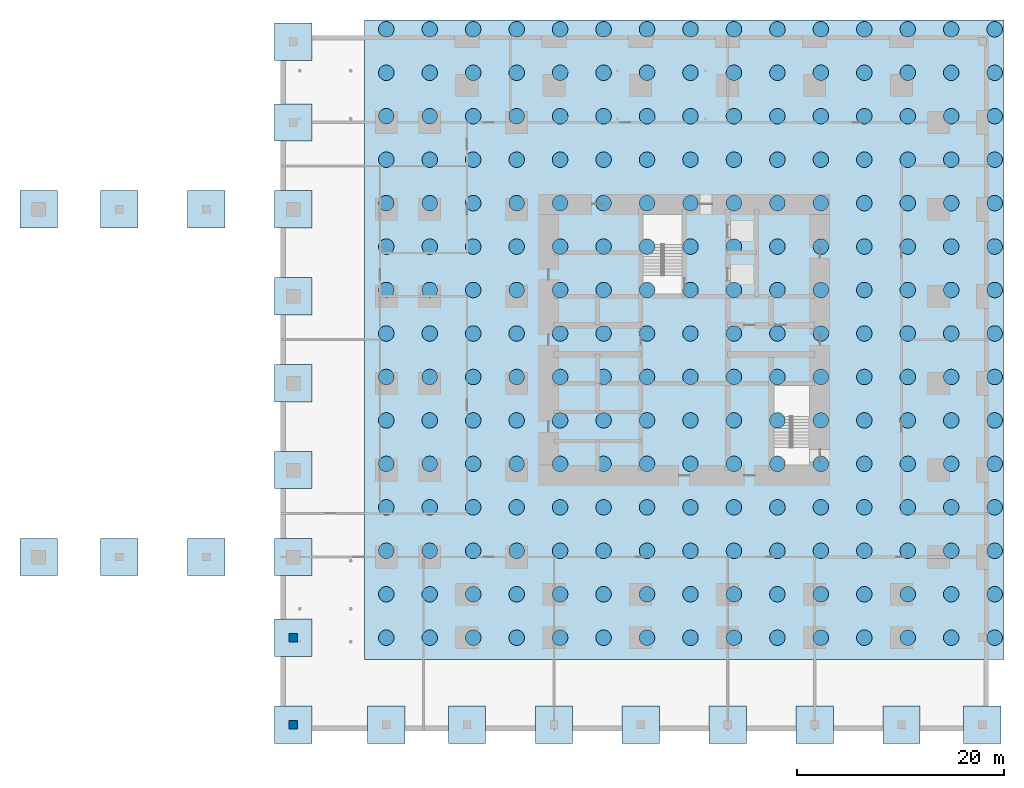
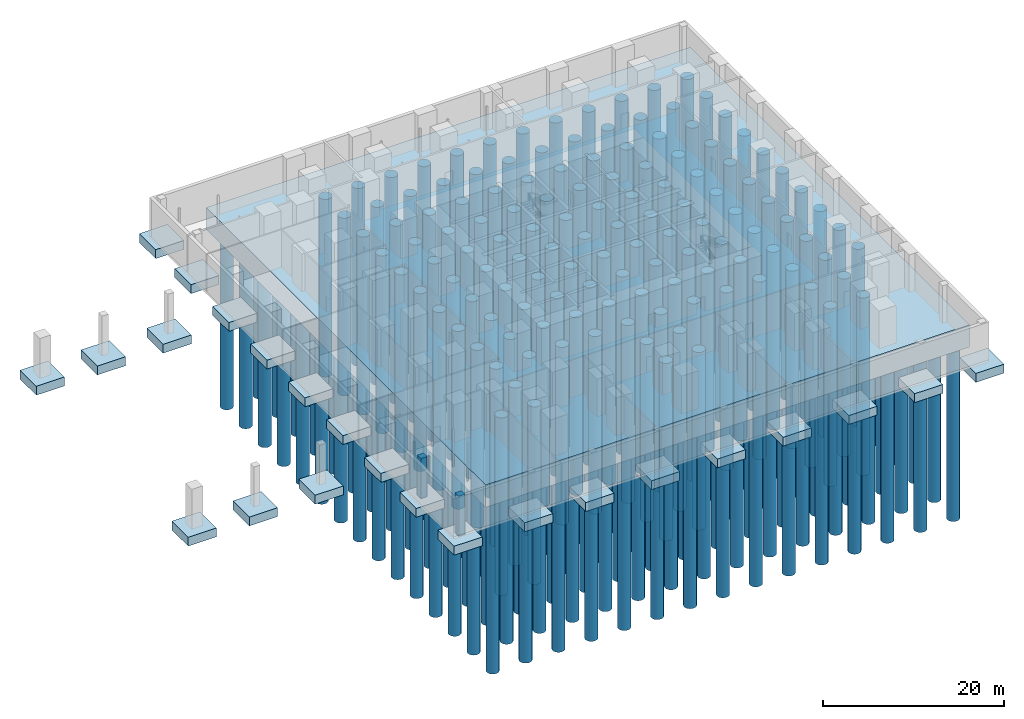
# One storey, part 1 of 18: 225 piles, 24 footings, 2 columns.
"""IFC4 building model written with IfcOpenShell, lengths in metres."""

import ifcopenshell
import ifcopenshell.guid

model = None  # the IFC model being written
_history = None  # IfcOwnerHistory: only IFC2X3 demands one
_inside = {}  # id of a spatial element -> (the spatial element, [elements in it])
_under = {}  # id of a project, library or spatial element -> (it, [spatial elements below it])
_declared = {}  # id of a project -> (the project, [libraries it declares])
_typed = {}  # id of a type object -> (the type object, [elements of that type])
_made_of = {}  # id of a material, layer set ... -> (it, [elements and type objects made of it])


def new_model(schema):
    """Start an empty IFC model of exactly this schema.

    Asked for "IFC4X3", IfcOpenShell would pick the latest addendum, in which some entities
    have other attributes; the version numbers below select the first issue.
    IFC2X3 requires an IfcOwnerHistory on every rooted entity: one is made here for all.
    """
    global model, _history
    if schema == "IFC4X3":
        model = ifcopenshell.file(schema_version=(4, 3, 0, 0))
    else:
        model = ifcopenshell.file(schema=schema)
    _inside.clear()
    _under.clear()
    _declared.clear()
    _typed.clear()
    _made_of.clear()
    _history = None
    if model.schema == "IFC2X3":
        org = make("IfcOrganization", Name="unknown")
        user = make(
            "IfcPersonAndOrganization",
            ThePerson=make("IfcPerson", FamilyName="unknown"),
            TheOrganization=org,
        )
        app = make(
            "IfcApplication",
            ApplicationDeveloper=org,
            Version="unknown",
            ApplicationFullName="unknown",
            ApplicationIdentifier="unknown",
        )
        _history = make(
            "IfcOwnerHistory",
            OwningUser=user,
            OwningApplication=app,
            ChangeAction="ADDED",
            CreationDate=0,
        )
    return model


def make(cls, **values):
    """One entity of the class cls with the attributes given. An attribute that is None is left unset."""
    return model.create_entity(
        cls, **{name: value for name, value in values.items() if value is not None}
    )


def rooted(cls, **values):
    """An entity with a GlobalId (a new one), such as an element, a storey or a relation."""
    return make(cls, GlobalId=ifcopenshell.guid.new(), OwnerHistory=_history, **values)


def si_unit(unit_type, name, prefix=None):
    """IfcSIUnit, for example si_unit("LENGTHUNIT", "METRE", prefix="MILLI")."""
    return make("IfcSIUnit", UnitType=unit_type, Prefix=prefix, Name=name)


def assignment(units):
    """IfcUnitAssignment: the units of a project."""
    return None if units is None else make("IfcUnitAssignment", Units=units)


def point(xyz):
    """IfcCartesianPoint."""
    return None if xyz is None else make("IfcCartesianPoint", Coordinates=xyz)


def direction(xyz):
    """IfcDirection."""
    return None if xyz is None else make("IfcDirection", DirectionRatios=xyz)


def frame(location, z_axis=None, x_axis=None):
    """IfcAxis2Placement3D, a coordinate frame: its origin and axes. An axis left out is left unset."""
    return make(
        "IfcAxis2Placement3D",
        Location=point(location),
        Axis=direction(z_axis),
        RefDirection=direction(x_axis),
    )


def frame_2d(location, x_axis=None):
    """IfcAxis2Placement2D, a coordinate frame in the plane: its origin and x axis."""
    return make(
        "IfcAxis2Placement2D", Location=point(location), RefDirection=direction(x_axis)
    )


def origin():
    """The frame at (0, 0, 0) with its axes left unset."""
    return frame((0.0, 0.0, 0.0))


def origin_2d():
    """The frame at (0, 0) in the plane with its x axis left unset."""
    return frame_2d((0.0, 0.0))


def place(relative_to, where):
    """IfcLocalPlacement: puts the frame where relative to a parent placement (None: the world)."""
    return make(
        "IfcLocalPlacement", PlacementRelTo=relative_to, RelativePlacement=where
    )


def context(
    kind, dimensions, precision=None, world=None, true_north=None, identifier=None
):
    """IfcGeometricRepresentationContext, for example the 3D "Model" context."""
    return make(
        "IfcGeometricRepresentationContext",
        ContextIdentifier=identifier,
        ContextType=kind,
        CoordinateSpaceDimension=dimensions,
        Precision=precision,
        WorldCoordinateSystem=world,
        TrueNorth=true_north,
    )


def subcontext(parent, identifier, kind, view, scale=None):
    """IfcGeometricRepresentationSubContext, for example "Body" below "Model"."""
    return make(
        "IfcGeometricRepresentationSubContext",
        ContextIdentifier=identifier,
        ContextType=kind,
        ParentContext=parent,
        TargetScale=scale,
        TargetView=view,
    )


def project(units=None, contexts=None):
    """IfcProject with its units and contexts."""
    return rooted(
        "IfcProject",
        Name="project",
        RepresentationContexts=contexts,
        UnitsInContext=assignment(units),
    )


def spatial(cls, under=None, at=None, **own):
    """A site, building, storey or space (cls), placed at a placement, below another one or the project."""
    s = rooted(cls, ObjectPlacement=at, **own)
    if under is not None:
        _under.setdefault(under.id(), (under, []))[1].append(s)
    return s


def polyline(points):
    """IfcPolyline through the points."""
    return make("IfcPolyline", Points=[point(p) for p in points])


def profile(cls, at=None, kind="AREA", **sizes):
    """A parametric profile (cls). Its sizes go by their IFC names, for example OverallWidth=200.0."""
    return make(cls, ProfileType=kind, Position=at, **sizes)


def rectangle(**sizes):
    """IfcRectangleProfileDef."""
    return profile("IfcRectangleProfileDef", **sizes)


def circle(**sizes):
    """IfcCircleProfileDef."""
    return profile("IfcCircleProfileDef", **sizes)


def outline(outer, holes=None, kind="AREA"):
    """IfcArbitraryClosedProfileDef: a profile drawn as a closed curve; with holes, ...WithVoids."""
    if holes is None:
        return make("IfcArbitraryClosedProfileDef", ProfileType=kind, OuterCurve=outer)
    return make(
        "IfcArbitraryProfileDefWithVoids",
        ProfileType=kind,
        OuterCurve=outer,
        InnerCurves=holes,
    )


def extrude(swept, where, along, depth):
    """IfcExtrudedAreaSolid: the profile swept, set in the frame where, extruded along a direction by depth."""
    return make(
        "IfcExtrudedAreaSolid",
        SweptArea=swept,
        Position=where,
        ExtrudedDirection=direction(along),
        Depth=depth,
    )


def shape(context_of_items, identifier, shape_type, items):
    """IfcShapeRepresentation: the items that make up one representation, for example the "Body"."""
    return make(
        "IfcShapeRepresentation",
        ContextOfItems=context_of_items,
        RepresentationIdentifier=identifier,
        RepresentationType=shape_type,
        Items=items,
    )


def material(Name=None, Category=None):
    """IfcMaterial."""
    return make("IfcMaterial", Name=Name, Category=Category)


def layer(
    of_material, thickness, ventilated=None, Name=None, Category=None, Priority=None
):
    """IfcMaterialLayer: one layer of a wall or slab, of a material (None: an air gap)."""
    return make(
        "IfcMaterialLayer",
        Material=of_material,
        LayerThickness=thickness,
        IsVentilated=ventilated,
        Name=Name,
        Category=Category,
        Priority=Priority,
    )


def layer_set(layers, Name=None):
    """IfcMaterialLayerSet."""
    return make("IfcMaterialLayerSet", MaterialLayers=layers, LayerSetName=Name)


def material_profile(
    of_material, cross_section, Name=None, Category=None, Priority=None
):
    """IfcMaterialProfile: a cross section and its material."""
    return make(
        "IfcMaterialProfile",
        Name=Name,
        Material=of_material,
        Profile=cross_section,
        Priority=Priority,
        Category=Category,
    )


def profile_set(profiles, Name=None, composite=None):
    """IfcMaterialProfileSet."""
    return make(
        "IfcMaterialProfileSet",
        Name=Name,
        MaterialProfiles=profiles,
        CompositeProfile=composite,
    )


def made_of(thing, what):
    """Note that an element or type object is made of a material, layer set ...; save() writes the relation."""
    if what is not None:
        _made_of.setdefault(what.id(), (what, []))[1].append(thing)
    return thing


def type_object(cls, material=None, **own):
    """A type object (cls), such as IfcWallType, which elements share."""
    return made_of(rooted(cls, **own), material)


def element(
    cls,
    number,
    at=None,
    inside=None,
    cuts=None,
    type_object=None,
    material=None,
    context=None,
    identifier="Body",
    shape_type=None,
    held_by="IfcProductDefinitionShape",
    body=None,
    shapes=None,
    **own,
):
    """One element of the class cls, such as IfcWall. Its Tag is "e" and its number.

    at: its placement. inside: the storey or other place that contains it. cuts: it is an
    opening in that element (IfcRelVoidsElement). A single representation is given by context,
    identifier, shape_type and body (its items); several are given by shapes. held_by: the class
    of the entity that holds the representations. save() writes the other relations.
    """
    e = rooted(cls, Tag="e%d" % number, ObjectPlacement=at, **own)
    if body is not None:
        shapes = [shape(context, identifier, shape_type, body)]
    if shapes is not None:
        e.Representation = make(held_by, Representations=shapes)
    if inside is not None:
        _inside.setdefault(inside.id(), (inside, []))[1].append(e)
    if cuts is not None:
        rooted(
            "IfcRelVoidsElement", RelatingBuildingElement=cuts, RelatedOpeningElement=e
        )
    if type_object is not None:
        _typed.setdefault(type_object.id(), (type_object, []))[1].append(e)
    return made_of(e, material)


def aggregate(whole, parts):
    """IfcRelAggregates: a whole, such as a stair, and the parts it consists of."""
    return rooted("IfcRelAggregates", RelatingObject=whole, RelatedObjects=parts)


def save(model, path):
    """Write the relations noted so far, then the file.

    IfcRelAggregates (storeys below a building ...), IfcRelContainedInSpatialStructure (elements
    in a storey), IfcRelDefinesByType, IfcRelAssociatesMaterial and IfcRelDeclares: one each for
    every whole, place, type object, material and project.
    """
    for whole, parts in _under.values():
        aggregate(whole, parts)
    for where, things in _inside.values():
        rooted(
            "IfcRelContainedInSpatialStructure",
            RelatedElements=things,
            RelatingStructure=where,
        )
    for kind, things in _typed.values():
        rooted("IfcRelDefinesByType", RelatedObjects=things, RelatingType=kind)
    for what, things in _made_of.values():
        rooted("IfcRelAssociatesMaterial", RelatedObjects=things, RelatingMaterial=what)
    for by, libraries in _declared.values():
        rooted("IfcRelDeclares", RelatingContext=by, RelatedDefinitions=libraries)
    model.write(path)


model = new_model("IFC4")

# Units and contexts
model_context = context("Model", 3, precision=1e-05, world=origin(), true_north=direction((0.0, 1.0)))
body_context = subcontext(model_context, "Body", "Model", "MODEL_VIEW")
ifc_project = project(units=[si_unit("LENGTHUNIT", "METRE"), si_unit("AREAUNIT", "SQUARE_METRE"), si_unit("VOLUMEUNIT", "CUBIC_METRE"), si_unit("PLANEANGLEUNIT", "RADIAN"), si_unit("MASSUNIT", "GRAM", prefix="KILO")], contexts=[model_context])

# Site, building, storey
site_placement = place(None, origin())
site = spatial("IfcSite", under=ifc_project, at=site_placement, CompositionType="ELEMENT")
building_placement = place(site_placement, origin())
building = spatial("IfcBuilding", under=site, at=building_placement, Name="Dunama Terrace Hotel", CompositionType="ELEMENT")
storey_placement = place(building_placement, frame((0.0, 0.0, -5.39990234375)))
storey = spatial("IfcBuildingStorey", under=building, at=storey_placement, Name="B1", CompositionType="ELEMENT", Elevation=-5.39990234375)

# Piles
ifc_material_1 = material(Name="Concrete C40/50", Category="concrete")
ifc_material_profile_1 = material_profile(ifc_material_1, circle(Radius=0.75, at=origin_2d()), Name="PILE D1500")
ifc_profile_set_1 = profile_set([ifc_material_profile_1], Name="Concrete C40/50")
pile_type = type_object("IfcPileType", Name="Bored pile 1500", PredefinedType="BORED", material=ifc_profile_set_1)
for number, where, z_axis, x_axis, name in (
    (1, (0.60009765625, 0.60009765625, -3.0), (0.0, 0.0, -1.0), (1.0, 0.0, 0.0), "Pile 1"),
    (2, (0.60009765625, 4.800048828125, -3.0), (0.0, 0.0, -1.0), (1.0, 0.0, 0.0), "Pile 2"),
    (3, (0.60009765625, 9.0, -3.0), (0.0, 0.0, -1.0), (1.0, 0.0, 0.0), "Pile 3"),
    (4, (0.60009765625, 13.199951171875, -3.0), (0.0, 0.0, -1.0), (1.0, 0.0, 0.0), "Pile 4"),
    (5, (0.60009765625, 17.39990234375, -3.0), (0.0, 0.0, -1.0), (1.0, 0.0, 0.0), "Pile 5"),
    (6, (0.60009765625, 21.60009765625, -3.0), (0.0, 0.0, -1.0), (1.0, 0.0, 0.0), "Pile 6"),
    (7, (0.60009765625, 25.800048828125, -3.0), (0.0, 0.0, -1.0), (1.0, 0.0, 0.0), "Pile 7"),
    (8, (0.60009765625, 30.0, -3.0), (0.0, 0.0, -1.0), (1.0, 0.0, 0.0), "Pile 8"),
    (9, (0.60009765625, 34.199951171875, -3.0), (0.0, 0.0, -1.0), (1.0, 0.0, 0.0), "Pile 9"),
    (10, (0.60009765625, 38.39990234375, -3.0), (0.0, 0.0, -1.0), (1.0, 0.0, 0.0), "Pile 10"),
    (11, (0.60009765625, 42.60009765625, -3.0), (0.0, 0.0, -1.0), (1.0, 0.0, 0.0), "Pile 11"),
    (12, (0.60009765625, 46.800048828125, -3.0), (0.0, 0.0, -1.0), (1.0, 0.0, 0.0), "Pile 12"),
    (13, (0.60009765625, 51.0, -3.0), (0.0, 0.0, -1.0), (1.0, 0.0, 0.0), "Pile 13"),
    (14, (0.60009765625, 55.199951171875, -3.0), (0.0, 0.0, -1.0), (1.0, 0.0, 0.0), "Pile 14"),
    (15, (0.60009765625, 59.39990234375, -3.0), (0.0, 0.0, -1.0), (1.0, 0.0, 0.0), "Pile 15"),
    (16, (4.800048828125, 0.60009765625, -3.0), (0.0, 0.0, -1.0), (1.0, 0.0, 0.0), "Pile 16"),
    (17, (4.800048828125, 4.800048828125, -3.0), (0.0, 0.0, -1.0), (1.0, 0.0, 0.0), "Pile 17"),
    (18, (4.800048828125, 9.0, -3.0), (0.0, 0.0, -1.0), (1.0, 0.0, 0.0), "Pile 18"),
    (19, (4.800048828125, 13.199951171875, -3.0), (0.0, 0.0, -1.0), (1.0, 0.0, 0.0), "Pile 19"),
    (20, (4.800048828125, 17.39990234375, -3.0), (0.0, 0.0, -1.0), (1.0, 0.0, 0.0), "Pile 20"),
    (21, (4.800048828125, 21.60009765625, -3.0), (0.0, 0.0, -1.0), (1.0, 0.0, 0.0), "Pile 21"),
    (22, (4.800048828125, 25.800048828125, -3.0), (0.0, 0.0, -1.0), (1.0, 0.0, 0.0), "Pile 22"),
    (23, (4.800048828125, 30.0, -3.0), (0.0, 0.0, -1.0), (1.0, 0.0, 0.0), "Pile 23"),
    (24, (4.800048828125, 34.199951171875, -3.0), (0.0, 0.0, -1.0), (1.0, 0.0, 0.0), "Pile 24"),
    (25, (4.800048828125, 38.39990234375, -3.0), (0.0, 0.0, -1.0), (1.0, 0.0, 0.0), "Pile 25"),
    (26, (4.800048828125, 42.60009765625, -3.0), (0.0, 0.0, -1.0), (1.0, 0.0, 0.0), "Pile 26"),
    (27, (4.800048828125, 46.800048828125, -3.0), (0.0, 0.0, -1.0), (1.0, 0.0, 0.0), "Pile 27"),
    (28, (4.800048828125, 51.0, -3.0), (0.0, 0.0, -1.0), (1.0, 0.0, 0.0), "Pile 28"),
    (29, (4.800048828125, 55.199951171875, -3.0), (0.0, 0.0, -1.0), (1.0, 0.0, 0.0), "Pile 29"),
    (30, (4.800048828125, 59.39990234375, -3.0), (0.0, 0.0, -1.0), (1.0, 0.0, 0.0), "Pile 30"),
    (31, (9.0, 0.60009765625, -3.0), (0.0, 0.0, -1.0), (1.0, 0.0, 0.0), "Pile 31"),
    (32, (9.0, 4.800048828125, -3.0), (0.0, 0.0, -1.0), (1.0, 0.0, 0.0), "Pile 32"),
    (33, (9.0, 9.0, -3.0), (0.0, 0.0, -1.0), (1.0, 0.0, 0.0), "Pile 33"),
    (34, (9.0, 13.199951171875, -3.0), (0.0, 0.0, -1.0), (1.0, 0.0, 0.0), "Pile 34"),
    (35, (9.0, 17.39990234375, -3.0), (0.0, 0.0, -1.0), (1.0, 0.0, 0.0), "Pile 35"),
    (36, (9.0, 21.60009765625, -3.0), (0.0, 0.0, -1.0), (1.0, 0.0, 0.0), "Pile 36"),
    (37, (9.0, 25.800048828125, -3.0), (0.0, 0.0, -1.0), (1.0, 0.0, 0.0), "Pile 37"),
    (38, (9.0, 30.0, -3.0), (0.0, 0.0, -1.0), (1.0, 0.0, 0.0), "Pile 38"),
    (39, (9.0, 34.199951171875, -3.0), (0.0, 0.0, -1.0), (1.0, 0.0, 0.0), "Pile 39"),
    (40, (9.0, 38.39990234375, -3.0), (0.0, 0.0, -1.0), (1.0, 0.0, 0.0), "Pile 40"),
    (41, (9.0, 42.60009765625, -3.0), (0.0, 0.0, -1.0), (1.0, 0.0, 0.0), "Pile 41"),
    (42, (9.0, 46.800048828125, -3.0), (0.0, 0.0, -1.0), (1.0, 0.0, 0.0), "Pile 42"),
    (43, (9.0, 51.0, -3.0), (0.0, 0.0, -1.0), (1.0, 0.0, 0.0), "Pile 43"),
    (44, (9.0, 55.199951171875, -3.0), (0.0, 0.0, -1.0), (1.0, 0.0, 0.0), "Pile 44"),
    (45, (9.0, 59.39990234375, -3.0), (0.0, 0.0, -1.0), (1.0, 0.0, 0.0), "Pile 45"),
    (46, (13.199951171875, 0.60009765625, -3.0), (0.0, 0.0, -1.0), (1.0, 0.0, 0.0), "Pile 46"),
    (47, (13.199951171875, 4.800048828125, -3.0), (0.0, 0.0, -1.0), (1.0, 0.0, 0.0), "Pile 47"),
    (48, (13.199951171875, 9.0, -3.0), (0.0, 0.0, -1.0), (1.0, 0.0, 0.0), "Pile 48"),
    (49, (13.199951171875, 13.199951171875, -3.0), (0.0, 0.0, -1.0), (1.0, 0.0, 0.0), "Pile 49"),
    (50, (13.199951171875, 17.39990234375, -3.0), (0.0, 0.0, -1.0), (1.0, 0.0, 0.0), "Pile 50"),
    (51, (13.199951171875, 21.60009765625, -3.0), (0.0, 0.0, -1.0), (1.0, 0.0, 0.0), "Pile 51"),
    (52, (13.199951171875, 25.800048828125, -3.0), (0.0, 0.0, -1.0), (1.0, 0.0, 0.0), "Pile 52"),
    (53, (13.199951171875, 30.0, -3.0), (0.0, 0.0, -1.0), (1.0, 0.0, 0.0), "Pile 53"),
    (54, (13.199951171875, 34.199951171875, -3.0), (0.0, 0.0, -1.0), (1.0, 0.0, 0.0), "Pile 54"),
    (55, (13.199951171875, 38.39990234375, -3.0), (0.0, 0.0, -1.0), (1.0, 0.0, 0.0), "Pile 55"),
    (56, (13.199951171875, 42.60009765625, -3.0), (0.0, 0.0, -1.0), (1.0, 0.0, 0.0), "Pile 56"),
    (57, (13.199951171875, 46.800048828125, -3.0), (0.0, 0.0, -1.0), (1.0, 0.0, 0.0), "Pile 57"),
    (58, (13.199951171875, 51.0, -3.0), (0.0, 0.0, -1.0), (1.0, 0.0, 0.0), "Pile 58"),
    (59, (13.199951171875, 55.199951171875, -3.0), (0.0, 0.0, -1.0), (1.0, 0.0, 0.0), "Pile 59"),
    (60, (13.199951171875, 59.39990234375, -3.0), (0.0, 0.0, -1.0), (1.0, 0.0, 0.0), "Pile 60"),
    (61, (17.39990234375, 0.60009765625, -3.0), (0.0, 0.0, -1.0), (1.0, 0.0, 0.0), "Pile 61"),
    (62, (17.39990234375, 4.800048828125, -3.0), (0.0, 0.0, -1.0), (1.0, 0.0, 0.0), "Pile 62"),
    (63, (17.39990234375, 9.0, -3.0), (0.0, 0.0, -1.0), (1.0, 0.0, 0.0), "Pile 63"),
    (64, (17.39990234375, 13.199951171875, -3.0), (0.0, 0.0, -1.0), (1.0, 0.0, 0.0), "Pile 64"),
    (65, (17.39990234375, 17.39990234375, -3.0), (0.0, 0.0, -1.0), (1.0, 0.0, 0.0), "Pile 65"),
    (66, (17.39990234375, 21.60009765625, -3.0), (0.0, 0.0, -1.0), (1.0, 0.0, 0.0), "Pile 66"),
    (67, (17.39990234375, 25.800048828125, -3.0), (0.0, 0.0, -1.0), (1.0, 0.0, 0.0), "Pile 67"),
    (68, (17.39990234375, 30.0, -3.0), (0.0, 0.0, -1.0), (1.0, 0.0, 0.0), "Pile 68"),
    (69, (17.39990234375, 34.199951171875, -3.0), (0.0, 0.0, -1.0), (1.0, 0.0, 0.0), "Pile 69"),
    (70, (17.39990234375, 38.39990234375, -3.0), (0.0, 0.0, -1.0), (1.0, 0.0, 0.0), "Pile 70"),
    (71, (17.39990234375, 42.60009765625, -3.0), (0.0, 0.0, -1.0), (1.0, 0.0, 0.0), "Pile 71"),
    (72, (17.39990234375, 46.800048828125, -3.0), (0.0, 0.0, -1.0), (1.0, 0.0, 0.0), "Pile 72"),
    (73, (17.39990234375, 51.0, -3.0), (0.0, 0.0, -1.0), (1.0, 0.0, 0.0), "Pile 73"),
    (74, (17.39990234375, 55.199951171875, -3.0), (0.0, 0.0, -1.0), (1.0, 0.0, 0.0), "Pile 74"),
    (75, (17.39990234375, 59.39990234375, -3.0), (0.0, 0.0, -1.0), (1.0, 0.0, 0.0), "Pile 75"),
    (76, (21.60009765625, 0.60009765625, -3.0), (0.0, 0.0, -1.0), (1.0, 0.0, 0.0), "Pile 76"),
    (77, (21.60009765625, 4.800048828125, -3.0), (0.0, 0.0, -1.0), (1.0, 0.0, 0.0), "Pile 77"),
    (78, (21.60009765625, 9.0, -3.0), (0.0, 0.0, -1.0), (1.0, 0.0, 0.0), "Pile 78"),
    (79, (21.60009765625, 13.199951171875, -3.0), (0.0, 0.0, -1.0), (1.0, 0.0, 0.0), "Pile 79"),
    (80, (21.60009765625, 17.39990234375, -3.0), (0.0, 0.0, -1.0), (1.0, 0.0, 0.0), "Pile 80"),
    (81, (21.60009765625, 21.60009765625, -3.0), (0.0, 0.0, -1.0), (1.0, 0.0, 0.0), "Pile 81"),
    (82, (21.60009765625, 25.800048828125, -3.0), (0.0, 0.0, -1.0), (1.0, 0.0, 0.0), "Pile 82"),
    (83, (21.60009765625, 30.0, -3.0), (0.0, 0.0, -1.0), (1.0, 0.0, 0.0), "Pile 83"),
    (84, (21.60009765625, 34.199951171875, -3.0), (0.0, 0.0, -1.0), (1.0, 0.0, 0.0), "Pile 84"),
    (85, (21.60009765625, 38.39990234375, -3.0), (0.0, 0.0, -1.0), (1.0, 0.0, 0.0), "Pile 85"),
    (86, (21.60009765625, 42.60009765625, -3.0), (0.0, 0.0, -1.0), (1.0, 0.0, 0.0), "Pile 86"),
    (87, (21.60009765625, 46.800048828125, -3.0), (0.0, 0.0, -1.0), (1.0, 0.0, 0.0), "Pile 87"),
    (88, (21.60009765625, 51.0, -3.0), (0.0, 0.0, -1.0), (1.0, 0.0, 0.0), "Pile 88"),
    (89, (21.60009765625, 55.199951171875, -3.0), (0.0, 0.0, -1.0), (1.0, 0.0, 0.0), "Pile 89"),
    (90, (21.60009765625, 59.39990234375, -3.0), (0.0, 0.0, -1.0), (1.0, 0.0, 0.0), "Pile 90"),
    (91, (25.800048828125, 0.60009765625, -3.0), (0.0, 0.0, -1.0), (1.0, 0.0, 0.0), "Pile 91"),
    (92, (25.800048828125, 4.800048828125, -3.0), (0.0, 0.0, -1.0), (1.0, 0.0, 0.0), "Pile 92"),
    (93, (25.800048828125, 9.0, -3.0), (0.0, 0.0, -1.0), (1.0, 0.0, 0.0), "Pile 93"),
    (94, (25.800048828125, 13.199951171875, -3.0), (0.0, 0.0, -1.0), (1.0, 0.0, 0.0), "Pile 94"),
    (95, (25.800048828125, 17.39990234375, -3.0), (0.0, 0.0, -1.0), (1.0, 0.0, 0.0), "Pile 95"),
    (96, (25.800048828125, 21.60009765625, -3.0), (0.0, 0.0, -1.0), (1.0, 0.0, 0.0), "Pile 96"),
    (97, (25.800048828125, 25.800048828125, -3.0), (0.0, 0.0, -1.0), (1.0, 0.0, 0.0), "Pile 97"),
    (98, (25.800048828125, 30.0, -3.0), (0.0, 0.0, -1.0), (1.0, 0.0, 0.0), "Pile 98"),
    (99, (25.800048828125, 34.199951171875, -3.0), (0.0, 0.0, -1.0), (1.0, 0.0, 0.0), "Pile 99"),
    (100, (25.800048828125, 38.39990234375, -3.0), (0.0, 0.0, -1.0), (1.0, 0.0, 0.0), "Pile 100"),
    (101, (25.800048828125, 42.60009765625, -3.0), (0.0, 0.0, -1.0), (1.0, 0.0, 0.0), "Pile 101"),
    (102, (25.800048828125, 46.800048828125, -3.0), (0.0, 0.0, -1.0), (1.0, 0.0, 0.0), "Pile 102"),
    (103, (25.800048828125, 51.0, -3.0), (0.0, 0.0, -1.0), (1.0, 0.0, 0.0), "Pile 103"),
    (104, (25.800048828125, 55.199951171875, -3.0), (0.0, 0.0, -1.0), (1.0, 0.0, 0.0), "Pile 104"),
    (105, (25.800048828125, 59.39990234375, -3.0), (0.0, 0.0, -1.0), (1.0, 0.0, 0.0), "Pile 105"),
    (106, (30.0, 0.60009765625, -3.0), (0.0, 0.0, -1.0), (1.0, 0.0, 0.0), "Pile 106"),
    (107, (30.0, 4.800048828125, -3.0), (0.0, 0.0, -1.0), (1.0, 0.0, 0.0), "Pile 107"),
    (108, (30.0, 9.0, -3.0), (0.0, 0.0, -1.0), (1.0, 0.0, 0.0), "Pile 108"),
    (109, (30.0, 13.199951171875, -3.0), (0.0, 0.0, -1.0), (1.0, 0.0, 0.0), "Pile 109"),
    (110, (30.0, 17.39990234375, -3.0), (0.0, 0.0, -1.0), (1.0, 0.0, 0.0), "Pile 110"),
    (111, (30.0, 21.60009765625, -3.0), (0.0, 0.0, -1.0), (1.0, 0.0, 0.0), "Pile 111"),
    (112, (30.0, 25.800048828125, -3.0), (0.0, 0.0, -1.0), (1.0, 0.0, 0.0), "Pile 112"),
    (113, (30.0, 30.0, -3.0), (0.0, 0.0, -1.0), (1.0, 0.0, 0.0), "Pile 113"),
    (114, (30.0, 34.199951171875, -3.0), (0.0, 0.0, -1.0), (1.0, 0.0, 0.0), "Pile 114"),
    (115, (30.0, 38.39990234375, -3.0), (0.0, 0.0, -1.0), (1.0, 0.0, 0.0), "Pile 115"),
    (116, (30.0, 42.60009765625, -3.0), (0.0, 0.0, -1.0), (1.0, 0.0, 0.0), "Pile 116"),
    (117, (30.0, 46.800048828125, -3.0), (0.0, 0.0, -1.0), (1.0, 0.0, 0.0), "Pile 117"),
    (118, (30.0, 51.0, -3.0), (0.0, 0.0, -1.0), (1.0, 0.0, 0.0), "Pile 118"),
    (119, (30.0, 55.199951171875, -3.0), (0.0, 0.0, -1.0), (1.0, 0.0, 0.0), "Pile 119"),
    (120, (30.0, 59.39990234375, -3.0), (0.0, 0.0, -1.0), (1.0, 0.0, 0.0), "Pile 120"),
    (121, (34.199951171875, 0.60009765625, -3.0), (0.0, 0.0, -1.0), (1.0, 0.0, 0.0), "Pile 121"),
    (122, (34.199951171875, 4.800048828125, -3.0), (0.0, 0.0, -1.0), (1.0, 0.0, 0.0), "Pile 122"),
    (123, (34.199951171875, 9.0, -3.0), (0.0, 0.0, -1.0), (1.0, 0.0, 0.0), "Pile 123"),
    (124, (34.199951171875, 13.199951171875, -3.0), (0.0, 0.0, -1.0), (1.0, 0.0, 0.0), "Pile 124"),
    (125, (34.199951171875, 17.39990234375, -3.0), (0.0, 0.0, -1.0), (1.0, 0.0, 0.0), "Pile 125"),
    (126, (34.199951171875, 21.60009765625, -3.0), (0.0, 0.0, -1.0), (1.0, 0.0, 0.0), "Pile 126"),
    (127, (34.199951171875, 25.800048828125, -3.0), (0.0, 0.0, -1.0), (1.0, 0.0, 0.0), "Pile 127"),
    (128, (34.199951171875, 30.0, -3.0), (0.0, 0.0, -1.0), (1.0, 0.0, 0.0), "Pile 128"),
    (129, (34.199951171875, 34.199951171875, -3.0), (0.0, 0.0, -1.0), (1.0, 0.0, 0.0), "Pile 129"),
    (130, (34.199951171875, 38.39990234375, -3.0), (0.0, 0.0, -1.0), (1.0, 0.0, 0.0), "Pile 130"),
    (131, (34.199951171875, 42.60009765625, -3.0), (0.0, 0.0, -1.0), (1.0, 0.0, 0.0), "Pile 131"),
    (132, (34.199951171875, 46.800048828125, -3.0), (0.0, 0.0, -1.0), (1.0, 0.0, 0.0), "Pile 132"),
    (133, (34.199951171875, 51.0, -3.0), (0.0, 0.0, -1.0), (1.0, 0.0, 0.0), "Pile 133"),
    (134, (34.199951171875, 55.199951171875, -3.0), (0.0, 0.0, -1.0), (1.0, 0.0, 0.0), "Pile 134"),
    (135, (34.199951171875, 59.39990234375, -3.0), (0.0, 0.0, -1.0), (1.0, 0.0, 0.0), "Pile 135"),
    (136, (38.39990234375, 0.60009765625, -3.0), (0.0, 0.0, -1.0), (1.0, 0.0, 0.0), "Pile 136"),
    (137, (38.39990234375, 4.800048828125, -3.0), (0.0, 0.0, -1.0), (1.0, 0.0, 0.0), "Pile 137"),
    (138, (38.39990234375, 9.0, -3.0), (0.0, 0.0, -1.0), (1.0, 0.0, 0.0), "Pile 138"),
    (139, (38.39990234375, 13.199951171875, -3.0), (0.0, 0.0, -1.0), (1.0, 0.0, 0.0), "Pile 139"),
    (140, (38.39990234375, 17.39990234375, -3.0), (0.0, 0.0, -1.0), (1.0, 0.0, 0.0), "Pile 140"),
    (141, (38.39990234375, 21.60009765625, -3.0), (0.0, 0.0, -1.0), (1.0, 0.0, 0.0), "Pile 141"),
    (142, (38.39990234375, 25.800048828125, -3.0), (0.0, 0.0, -1.0), (1.0, 0.0, 0.0), "Pile 142"),
    (143, (38.39990234375, 30.0, -3.0), (0.0, 0.0, -1.0), (1.0, 0.0, 0.0), "Pile 143"),
    (144, (38.39990234375, 34.199951171875, -3.0), (0.0, 0.0, -1.0), (1.0, 0.0, 0.0), "Pile 144"),
    (145, (38.39990234375, 38.39990234375, -3.0), (0.0, 0.0, -1.0), (1.0, 0.0, 0.0), "Pile 145"),
    (146, (38.39990234375, 42.60009765625, -3.0), (0.0, 0.0, -1.0), (1.0, 0.0, 0.0), "Pile 146"),
    (147, (38.39990234375, 46.800048828125, -3.0), (0.0, 0.0, -1.0), (1.0, 0.0, 0.0), "Pile 147"),
    (148, (38.39990234375, 51.0, -3.0), (0.0, 0.0, -1.0), (1.0, 0.0, 0.0), "Pile 148"),
    (149, (38.39990234375, 55.199951171875, -3.0), (0.0, 0.0, -1.0), (1.0, 0.0, 0.0), "Pile 149"),
    (150, (38.39990234375, 59.39990234375, -3.0), (0.0, 0.0, -1.0), (1.0, 0.0, 0.0), "Pile 150"),
    (151, (42.60009765625, 0.60009765625, -3.0), (0.0, 0.0, -1.0), (1.0, 0.0, 0.0), "Pile 151"),
    (152, (42.60009765625, 4.800048828125, -3.0), (0.0, 0.0, -1.0), (1.0, 0.0, 0.0), "Pile 152"),
    (153, (42.60009765625, 9.0, -3.0), (0.0, 0.0, -1.0), (1.0, 0.0, 0.0), "Pile 153"),
    (154, (42.60009765625, 13.199951171875, -3.0), (0.0, 0.0, -1.0), (1.0, 0.0, 0.0), "Pile 154"),
    (155, (42.60009765625, 17.39990234375, -3.0), (0.0, 0.0, -1.0), (1.0, 0.0, 0.0), "Pile 155"),
    (156, (42.60009765625, 21.60009765625, -3.0), (0.0, 0.0, -1.0), (1.0, 0.0, 0.0), "Pile 156"),
    (157, (42.60009765625, 25.800048828125, -3.0), (0.0, 0.0, -1.0), (1.0, 0.0, 0.0), "Pile 157"),
    (158, (42.60009765625, 30.0, -3.0), (0.0, 0.0, -1.0), (1.0, 0.0, 0.0), "Pile 158"),
    (159, (42.60009765625, 34.199951171875, -3.0), (0.0, 0.0, -1.0), (1.0, 0.0, 0.0), "Pile 159"),
    (160, (42.60009765625, 38.39990234375, -3.0), (0.0, 0.0, -1.0), (1.0, 0.0, 0.0), "Pile 160"),
    (161, (42.60009765625, 42.60009765625, -3.0), (0.0, 0.0, -1.0), (1.0, 0.0, 0.0), "Pile 161"),
    (162, (42.60009765625, 46.800048828125, -3.0), (0.0, 0.0, -1.0), (1.0, 0.0, 0.0), "Pile 162"),
    (163, (42.60009765625, 51.0, -3.0), (0.0, 0.0, -1.0), (1.0, 0.0, 0.0), "Pile 163"),
    (164, (42.60009765625, 55.199951171875, -3.0), (0.0, 0.0, -1.0), (1.0, 0.0, 0.0), "Pile 164"),
    (165, (42.60009765625, 59.39990234375, -3.0), (0.0, 0.0, -1.0), (1.0, 0.0, 0.0), "Pile 165"),
    (166, (46.800048828125, 0.60009765625, -3.0), (0.0, 0.0, -1.0), (1.0, 0.0, 0.0), "Pile 166"),
    (167, (46.800048828125, 4.800048828125, -3.0), (0.0, 0.0, -1.0), (1.0, 0.0, 0.0), "Pile 167"),
    (168, (46.800048828125, 9.0, -3.0), (0.0, 0.0, -1.0), (1.0, 0.0, 0.0), "Pile 168"),
    (169, (46.800048828125, 13.199951171875, -3.0), (0.0, 0.0, -1.0), (1.0, 0.0, 0.0), "Pile 169"),
    (170, (46.800048828125, 17.39990234375, -3.0), (0.0, 0.0, -1.0), (1.0, 0.0, 0.0), "Pile 170"),
    (171, (46.800048828125, 21.60009765625, -3.0), (0.0, 0.0, -1.0), (1.0, 0.0, 0.0), "Pile 171"),
    (172, (46.800048828125, 25.800048828125, -3.0), (0.0, 0.0, -1.0), (1.0, 0.0, 0.0), "Pile 172"),
    (173, (46.800048828125, 30.0, -3.0), (0.0, 0.0, -1.0), (1.0, 0.0, 0.0), "Pile 173"),
    (174, (46.800048828125, 34.199951171875, -3.0), (0.0, 0.0, -1.0), (1.0, 0.0, 0.0), "Pile 174"),
    (175, (46.800048828125, 38.39990234375, -3.0), (0.0, 0.0, -1.0), (1.0, 0.0, 0.0), "Pile 175"),
    (176, (46.800048828125, 42.60009765625, -3.0), (0.0, 0.0, -1.0), (1.0, 0.0, 0.0), "Pile 176"),
    (177, (46.800048828125, 46.800048828125, -3.0), (0.0, 0.0, -1.0), (1.0, 0.0, 0.0), "Pile 177"),
    (178, (46.800048828125, 51.0, -3.0), (0.0, 0.0, -1.0), (1.0, 0.0, 0.0), "Pile 178"),
    (179, (46.800048828125, 55.199951171875, -3.0), (0.0, 0.0, -1.0), (1.0, 0.0, 0.0), "Pile 179"),
    (180, (46.800048828125, 59.39990234375, -3.0), (0.0, 0.0, -1.0), (1.0, 0.0, 0.0), "Pile 180"),
    (181, (51.0, 0.60009765625, -3.0), (0.0, 0.0, -1.0), (1.0, 0.0, 0.0), "Pile 181"),
    (182, (51.0, 4.800048828125, -3.0), (0.0, 0.0, -1.0), (1.0, 0.0, 0.0), "Pile 182"),
    (183, (51.0, 9.0, -3.0), (0.0, 0.0, -1.0), (1.0, 0.0, 0.0), "Pile 183"),
    (184, (51.0, 13.199951171875, -3.0), (0.0, 0.0, -1.0), (1.0, 0.0, 0.0), "Pile 184"),
    (185, (51.0, 17.39990234375, -3.0), (0.0, 0.0, -1.0), (1.0, 0.0, 0.0), "Pile 185"),
    (186, (51.0, 21.60009765625, -3.0), (0.0, 0.0, -1.0), (1.0, 0.0, 0.0), "Pile 186"),
    (187, (51.0, 25.800048828125, -3.0), (0.0, 0.0, -1.0), (1.0, 0.0, 0.0), "Pile 187"),
    (188, (51.0, 30.0, -3.0), (0.0, 0.0, -1.0), (1.0, 0.0, 0.0), "Pile 188"),
    (189, (51.0, 34.199951171875, -3.0), (0.0, 0.0, -1.0), (1.0, 0.0, 0.0), "Pile 189"),
    (190, (51.0, 38.39990234375, -3.0), (0.0, 0.0, -1.0), (1.0, 0.0, 0.0), "Pile 190"),
    (191, (51.0, 42.60009765625, -3.0), (0.0, 0.0, -1.0), (1.0, 0.0, 0.0), "Pile 191"),
    (192, (51.0, 46.800048828125, -3.0), (0.0, 0.0, -1.0), (1.0, 0.0, 0.0), "Pile 192"),
    (193, (51.0, 51.0, -3.0), (0.0, 0.0, -1.0), (1.0, 0.0, 0.0), "Pile 193"),
    (194, (51.0, 55.199951171875, -3.0), (0.0, 0.0, -1.0), (1.0, 0.0, 0.0), "Pile 194"),
    (195, (51.0, 59.39990234375, -3.0), (0.0, 0.0, -1.0), (1.0, 0.0, 0.0), "Pile 195"),
    (196, (55.199951171875, 0.60009765625, -3.0), (0.0, 0.0, -1.0), (1.0, 0.0, 0.0), "Pile 196"),
    (197, (55.199951171875, 4.800048828125, -3.0), (0.0, 0.0, -1.0), (1.0, 0.0, 0.0), "Pile 197"),
    (198, (55.199951171875, 9.0, -3.0), (0.0, 0.0, -1.0), (1.0, 0.0, 0.0), "Pile 198"),
    (199, (55.199951171875, 13.199951171875, -3.0), (0.0, 0.0, -1.0), (1.0, 0.0, 0.0), "Pile 199"),
    (200, (55.199951171875, 17.39990234375, -3.0), (0.0, 0.0, -1.0), (1.0, 0.0, 0.0), "Pile 200"),
    (201, (55.199951171875, 21.60009765625, -3.0), (0.0, 0.0, -1.0), (1.0, 0.0, 0.0), "Pile 201"),
    (202, (55.199951171875, 25.800048828125, -3.0), (0.0, 0.0, -1.0), (1.0, 0.0, 0.0), "Pile 202"),
    (203, (55.199951171875, 30.0, -3.0), (0.0, 0.0, -1.0), (1.0, 0.0, 0.0), "Pile 203"),
    (204, (55.199951171875, 34.199951171875, -3.0), (0.0, 0.0, -1.0), (1.0, 0.0, 0.0), "Pile 204"),
    (205, (55.199951171875, 38.39990234375, -3.0), (0.0, 0.0, -1.0), (1.0, 0.0, 0.0), "Pile 205"),
    (206, (55.199951171875, 42.60009765625, -3.0), (0.0, 0.0, -1.0), (1.0, 0.0, 0.0), "Pile 206"),
    (207, (55.199951171875, 46.800048828125, -3.0), (0.0, 0.0, -1.0), (1.0, 0.0, 0.0), "Pile 207"),
    (208, (55.199951171875, 51.0, -3.0), (0.0, 0.0, -1.0), (1.0, 0.0, 0.0), "Pile 208"),
    (209, (55.199951171875, 55.199951171875, -3.0), (0.0, 0.0, -1.0), (1.0, 0.0, 0.0), "Pile 209"),
    (210, (55.199951171875, 59.39990234375, -3.0), (0.0, 0.0, -1.0), (1.0, 0.0, 0.0), "Pile 210"),
    (211, (59.39990234375, 0.60009765625, -3.0), (0.0, 0.0, -1.0), (1.0, 0.0, 0.0), "Pile 211"),
    (212, (59.39990234375, 4.800048828125, -3.0), (0.0, 0.0, -1.0), (1.0, 0.0, 0.0), "Pile 212"),
    (213, (59.39990234375, 9.0, -3.0), (0.0, 0.0, -1.0), (1.0, 0.0, 0.0), "Pile 213"),
    (214, (59.39990234375, 13.199951171875, -3.0), (0.0, 0.0, -1.0), (1.0, 0.0, 0.0), "Pile 214"),
    (215, (59.39990234375, 17.39990234375, -3.0), (0.0, 0.0, -1.0), (1.0, 0.0, 0.0), "Pile 215"),
    (216, (59.39990234375, 21.60009765625, -3.0), (0.0, 0.0, -1.0), (1.0, 0.0, 0.0), "Pile 216"),
    (217, (59.39990234375, 25.800048828125, -3.0), (0.0, 0.0, -1.0), (1.0, 0.0, 0.0), "Pile 217"),
    (218, (59.39990234375, 30.0, -3.0), (0.0, 0.0, -1.0), (1.0, 0.0, 0.0), "Pile 218"),
    (219, (59.39990234375, 34.199951171875, -3.0), (0.0, 0.0, -1.0), (1.0, 0.0, 0.0), "Pile 219"),
    (220, (59.39990234375, 38.39990234375, -3.0), (0.0, 0.0, -1.0), (1.0, 0.0, 0.0), "Pile 220"),
    (221, (59.39990234375, 42.60009765625, -3.0), (0.0, 0.0, -1.0), (1.0, 0.0, 0.0), "Pile 221"),
    (222, (59.39990234375, 46.800048828125, -3.0), (0.0, 0.0, -1.0), (1.0, 0.0, 0.0), "Pile 222"),
    (223, (59.39990234375, 51.0, -3.0), (0.0, 0.0, -1.0), (1.0, 0.0, 0.0), "Pile 223"),
    (224, (59.39990234375, 55.199951171875, -3.0), (0.0, 0.0, -1.0), (1.0, 0.0, 0.0), "Pile 224"),
    (225, (59.39990234375, 59.39990234375, -3.0), (0.0, 0.0, -1.0), (1.0, 0.0, 0.0), "Pile 225"),
):
    element("IfcPile", number, at=place(storey_placement, frame(where, z_axis=z_axis, x_axis=x_axis)), inside=storey, type_object=pile_type, Name=name, PredefinedType="BORED", context=body_context, shape_type="SweptSolid", body=[
        extrude(circle(Radius=0.75, at=origin_2d()), origin(), (0.0, 0.0, 1.0), 24.0),
    ])

# Footings
ifc_material_2 = material(Name="Concrete C40/50", Category="concrete")
footing_type_1 = type_object("IfcFootingType", Name="Pad footing 3600", PredefinedType="PAD_FOOTING", material=ifc_material_2)
for number, where, z_axis, x_axis, name in (
    (226, (-33.0, 8.39990234375, -1.5), (0.0, 0.0, 1.0), (1.0, 0.0, 0.0), "Pad footing under column -33.0/+8.4"),
    (227, (-33.0, 42.0, -1.5), (0.0, 0.0, 1.0), (1.0, 0.0, 0.0), "Pad footing under column -33.0/+42.0"),
    (228, (-25.199951171875, 8.39990234375, -1.5), (0.0, 0.0, 1.0), (1.0, 0.0, 0.0), "Pad footing under column -25.2/+8.4"),
    (229, (-25.199951171875, 42.0, -1.5), (0.0, 0.0, 1.0), (1.0, 0.0, 0.0), "Pad footing under column -25.2/+42.0"),
    (230, (-16.800048828125, 8.39990234375, -1.5), (0.0, 0.0, 1.0), (1.0, 0.0, 0.0), "Pad footing under column -16.8/+8.4"),
    (231, (-16.800048828125, 42.0, -1.5), (0.0, 0.0, 1.0), (1.0, 0.0, 0.0), "Pad footing under column -16.8/+42.0"),
    (232, (-8.39990234375, -7.800048828125, -1.5), (0.0, 0.0, 1.0), (1.0, 0.0, 0.0), "Pad footing under column -8.4/-7.8"),
    (233, (-8.39990234375, 0.60009765625, -1.5), (0.0, 0.0, 1.0), (1.0, 0.0, 0.0), "Pad footing under column -8.4/+0.6"),
    (234, (-8.39990234375, 8.39990234375, -1.5), (0.0, 0.0, 1.0), (1.0, 0.0, 0.0), "Pad footing under column -8.4/+8.4"),
    (235, (-8.39990234375, 16.800048828125, -1.5), (0.0, 0.0, 1.0), (1.0, 0.0, 0.0), "Pad footing under column -8.4/+16.8"),
    (236, (-8.39990234375, 25.199951171875, -1.5), (0.0, 0.0, 1.0), (1.0, 0.0, 0.0), "Pad footing under column -8.4/+25.2"),
    (237, (-8.39990234375, 33.60009765625, -1.5), (0.0, 0.0, 1.0), (1.0, 0.0, 0.0), "Pad footing under column -8.4/+33.6"),
    (238, (-8.39990234375, 42.0, -1.5), (0.0, 0.0, 1.0), (1.0, 0.0, 0.0), "Pad footing under column -8.4/+42.0"),
    (239, (-8.39990234375, 50.39990234375, -1.5), (0.0, 0.0, 1.0), (1.0, 0.0, 0.0), "Pad footing under column -8.4/+50.4"),
    (240, (-8.39990234375, 58.199951171875, -1.5), (0.0, 0.0, 1.0), (1.0, 0.0, 0.0), "Pad footing under column -8.4/+58.2"),
    (241, (0.60009765625, -7.800048828125, -1.5), (0.0, 0.0, 1.0), (1.0, 0.0, 0.0), "Pad footing under column +0.6/-7.8"),
    (242, (8.39990234375, -7.800048828125, -1.5), (0.0, 0.0, 1.0), (1.0, 0.0, 0.0), "Pad footing under column +8.4/-7.8"),
    (243, (16.800048828125, -7.800048828125, -1.5), (0.0, 0.0, 1.0), (1.0, 0.0, 0.0), "Pad footing under column +16.8/-7.8"),
    (244, (25.199951171875, -7.800048828125, -1.5), (0.0, 0.0, 1.0), (1.0, 0.0, 0.0), "Pad footing under column +25.2/-7.8"),
    (245, (33.60009765625, -7.800048828125, -1.5), (0.0, 0.0, 1.0), (1.0, 0.0, 0.0), "Pad footing under column +33.6/-7.8"),
    (246, (42.0, -7.800048828125, -1.5), (0.0, 0.0, 1.0), (1.0, 0.0, 0.0), "Pad footing under column +42.0/-7.8"),
    (247, (50.39990234375, -7.800048828125, -1.5), (0.0, 0.0, 1.0), (1.0, 0.0, 0.0), "Pad footing under column +50.4/-7.8"),
    (248, (58.199951171875, -7.800048828125, -1.5), (0.0, 0.0, 1.0), (1.0, 0.0, 0.0), "Pad footing under column +58.2/-7.8"),
):
    element("IfcFooting", number, at=place(storey_placement, frame(where, z_axis=z_axis, x_axis=x_axis)), inside=storey, type_object=footing_type_1, Name=name, PredefinedType="PAD_FOOTING", context=body_context, shape_type="SweptSolid", body=[
        extrude(rectangle(XDim=3.60009765625, YDim=3.60009765625, at=origin_2d()), origin(), (0.0, 0.0, 1.0), 1.199951171875),
    ])
ifc_material_3 = material(Name="Concrete C40/50", Category="concrete")
ifc_layer = layer(ifc_material_3, 3.0)
ifc_layer_set = layer_set([ifc_layer], Name="Piled raft 3000")
footing_type_2 = type_object("IfcFootingType", Name="Piled raft 3000", PredefinedType="USERDEFINED", material=ifc_layer_set)
footing_placement = place(storey_placement, frame((0.0, 0.0, -3.0)))
element("IfcFooting", 249, at=footing_placement, inside=storey, type_object=footing_type_2, Name="Tower piled raft", ObjectType="PILED RAFT", PredefinedType="USERDEFINED", context=body_context, shape_type="SweptSolid", body=[
    extrude(outline(polyline([(-1.5, -1.5), (60.300048828125, -1.5), (60.300048828125, 60.300048828125), (-1.5, 60.300048828125), (-1.5, -1.5)])), origin(), (0.0, 0.0, 1.0), 3.0),
])

# Columns
ifc_material_4 = material(Name="Concrete C40/50", Category="concrete")
ifc_material_profile_2 = material_profile(ifc_material_4, rectangle(XDim=0.800048828125, YDim=0.800048828125, at=origin_2d()), Name="RC 800x800")
ifc_profile_set_2 = profile_set([ifc_material_profile_2], Name="Concrete C40/50")
column_type = type_object("IfcColumnType", Name="Column RC 800x800", PredefinedType="COLUMN", material=ifc_profile_set_2)
for number, where, z_axis, x_axis, name in (
    (250, (-8.39990234375, -7.800048828125, -0.300048828125), (0.0, 0.0, 1.0), (1.0, 0.0, 0.0), "Column B1 -8.4/-7.8"),
    (251, (-8.39990234375, 0.60009765625, -0.300048828125), (0.0, 0.0, 1.0), (1.0, 0.0, 0.0), "Column B1 -8.4/+0.6"),
):
    element("IfcColumn", number, at=place(storey_placement, frame(where, z_axis=z_axis, x_axis=x_axis)), inside=storey, type_object=column_type, Name=name, PredefinedType="COLUMN", context=body_context, shape_type="SweptSolid", body=[
        extrude(rectangle(XDim=0.800048828125, YDim=0.800048828125, at=origin_2d()), origin(), (0.0, 0.0, 1.0), 5.39990234375),
    ])

save(model, "model.ifc")
